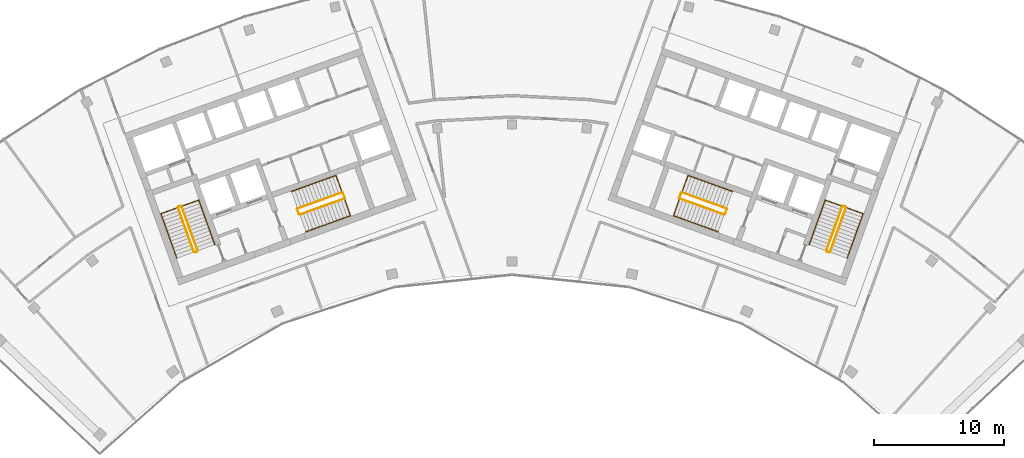
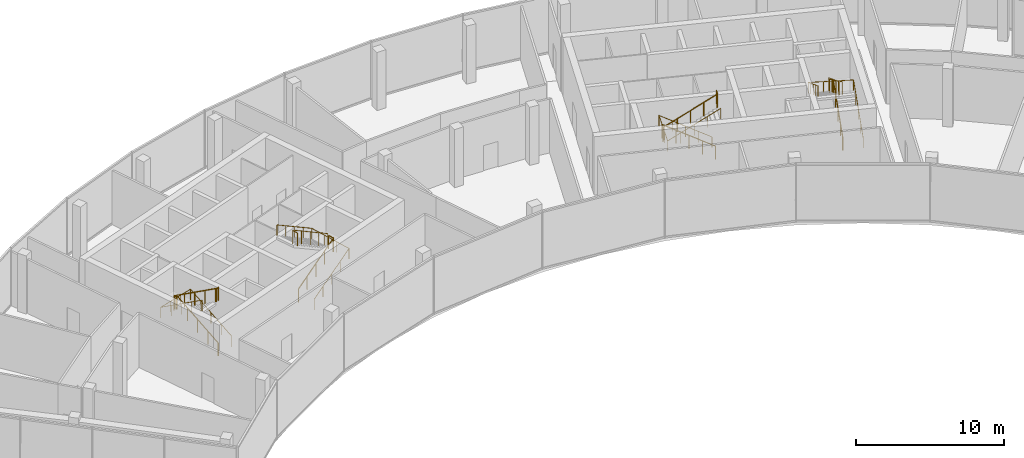
# One storey, part 17 of 17: 12 railings.
"""IFC4 building model written with IfcOpenShell, lengths in metres."""

from ifc_helpers import new_model, si_unit, direction, frame, origin, origin_2d, place, context, subcontext, project, spatial, circle, extrude, material, type_object, element, save


model = new_model("IFC4")

# Units and contexts
model_context = context("Model", 3, precision=1e-05, world=origin(), true_north=direction((0.0, 1.0)))
body_context = subcontext(model_context, "Body", "Model", "MODEL_VIEW")
ifc_project = project(units=[si_unit("LENGTHUNIT", "METRE"), si_unit("AREAUNIT", "SQUARE_METRE"), si_unit("VOLUMEUNIT", "CUBIC_METRE"), si_unit("PLANEANGLEUNIT", "RADIAN"), si_unit("MASSUNIT", "GRAM", prefix="KILO")], contexts=[model_context])

# Site, building, storey
site_placement = place(None, origin())
site = spatial("IfcSite", under=ifc_project, at=site_placement, CompositionType="ELEMENT")
building_placement = place(site_placement, origin())
building = spatial("IfcBuilding", under=site, at=building_placement, Name="Stone Belt Terrace Tower", CompositionType="ELEMENT")
storey_placement = place(building_placement, frame((0.0, 0.0, 313.39990234375)))
storey = spatial("IfcBuildingStorey", under=building, at=storey_placement, Name="L76", CompositionType="ELEMENT", Elevation=313.39990234375)

# Railings
ifc_material = material(Name="Structural steel C345", Category="steel")
railing_type_1 = type_object("IfcRailingType", Name="Stair guard 1100", PredefinedType="GUARDRAIL", material=ifc_material)
railing_1_placement = place(storey_placement, frame((-24.2119140625, 45.276123046875, 0.171630859375)))
element("IfcRailing", 1, at=railing_1_placement, inside=storey, type_object=railing_type_1, Name="L76 ST1A stair guard 1", PredefinedType="GUARDRAIL", context=body_context, shape_type="SweptSolid", body=[
    extrude(circle(Radius=0.02392578125, at=origin_2d()), frame((0.0, 0.0, 1.076171875), z_axis=(-0.288822101159, 0.802455225799, 0.522156494233), x_axis=(-0.940910495972, -0.338655338905, 0.0)), (0.0, 0.0, 1.0), 4.267822265625),
    extrude(circle(Radius=0.02392578125, at=origin_2d()), frame((-1.232666015625, 3.4248046875, 3.3046875), z_axis=(-0.903878284585, 0.427789722475, 0.0), x_axis=(-0.427789722475, -0.903878284585, 0.0)), (0.0, 0.0, 1.0), 0.07080078125),
    extrude(circle(Radius=0.02392578125, at=origin_2d()), frame((-1.296630859375, 3.455078125, 3.3046875), z_axis=(-0.940716197853, -0.339194686126, 0.0), x_axis=(0.339194686126, -0.940716197853, 0.0)), (0.0, 0.0, 1.0), 0.2001953125),
    extrude(circle(Radius=0.02099609375, at=origin_2d()), origin(), (0.0, 0.0, 1.0), 1.052001953125),
    extrude(circle(Radius=0.02099609375, at=origin_2d()), frame((-0.30810546875, 0.856201171875, 0.55712890625)), (0.0, 0.0, 1.0), 1.052001953125),
    extrude(circle(Radius=0.02099609375, at=origin_2d()), frame((-0.6162109375, 1.71240234375, 1.1142578125)), (0.0, 0.0, 1.0), 1.052001953125),
    extrude(circle(Radius=0.02099609375, at=origin_2d()), frame((-0.924560546875, 2.568603515625, 1.67138671875)), (0.0, 0.0, 1.0), 1.052001953125),
    extrude(circle(Radius=0.02099609375, at=origin_2d()), frame((-1.232666015625, 3.4248046875, 2.228515625)), (0.0, 0.0, 1.0), 1.052001953125),
    extrude(circle(Radius=0.02099609375, at=origin_2d()), frame((-1.296630859375, 3.455078125, 2.228515625)), (0.0, 0.0, 1.0), 1.052001953125),
    extrude(circle(Radius=0.02099609375, at=origin_2d()), frame((-1.48486328125, 3.38720703125, 2.228515625)), (0.0, 0.0, 1.0), 1.052001953125),
])
railing_2_placement = place(storey_placement, frame((-25.726806640625, 48.599365234375, 2.571533203125)))
element("IfcRailing", 2, at=railing_2_placement, inside=storey, type_object=railing_type_1, Name="L76 ST1A stair guard 2", PredefinedType="GUARDRAIL", context=body_context, shape_type="SweptSolid", body=[
    extrude(circle(Radius=0.02392578125, at=origin_2d()), frame((0.0, 0.0, 1.076171875), z_axis=(0.288822101159, -0.802455225799, 0.522156494233), x_axis=(0.940910495972, 0.338655338905, 0.0)), (0.0, 0.0, 1.0), 4.267822265625),
    extrude(circle(Radius=0.02392578125, at=origin_2d()), frame((1.232666015625, -3.4248046875, 3.3046875), z_axis=(0.903878284585, -0.427789722475, 0.0), x_axis=(0.427789722475, 0.903878284585, 0.0)), (0.0, 0.0, 1.0), 0.07080078125),
    extrude(circle(Radius=0.02392578125, at=origin_2d()), frame((1.296630859375, -3.455078125, 3.3046875), z_axis=(0.940575576748, 0.339584429008, 0.0), x_axis=(-0.339584429008, 0.940575576748, 0.0)), (0.0, 0.0, 1.0), 0.199951171875),
    extrude(circle(Radius=0.02099609375, at=origin_2d()), origin(), (0.0, 0.0, 1.0), 1.052001953125),
    extrude(circle(Radius=0.02099609375, at=origin_2d()), frame((0.30810546875, -0.856201171875, 0.55712890625)), (0.0, 0.0, 1.0), 1.052001953125),
    extrude(circle(Radius=0.02099609375, at=origin_2d()), frame((0.6162109375, -1.71240234375, 1.1142578125)), (0.0, 0.0, 1.0), 1.052001953125),
    extrude(circle(Radius=0.02099609375, at=origin_2d()), frame((0.924560546875, -2.568603515625, 1.67138671875)), (0.0, 0.0, 1.0), 1.052001953125),
    extrude(circle(Radius=0.02099609375, at=origin_2d()), frame((1.232666015625, -3.4248046875, 2.228515625)), (0.0, 0.0, 1.0), 1.052001953125),
    extrude(circle(Radius=0.02099609375, at=origin_2d()), frame((1.296630859375, -3.455078125, 2.228515625)), (0.0, 0.0, 1.0), 1.052001953125),
    extrude(circle(Radius=0.02099609375, at=origin_2d()), frame((1.484619140625, -3.38720703125, 2.228515625)), (0.0, 0.0, 1.0), 1.052001953125),
])
railing_3_placement = place(storey_placement, frame((-16.33837890625, 48.056640625, 0.171630859375)))
element("IfcRailing", 3, at=railing_3_placement, inside=storey, type_object=railing_type_1, Name="L76 ST2A stair guard 1", PredefinedType="GUARDRAIL", context=body_context, shape_type="SweptSolid", body=[
    extrude(circle(Radius=0.02392578125, at=origin_2d()), frame((0.0, 0.0, 1.076171875), z_axis=(0.802488848793, 0.288756412339, 0.522141151314), x_axis=(-0.338574587021, 0.94093955652, 0.0)), (0.0, 0.0, 1.0), 4.26806640625),
    extrude(circle(Radius=0.02392578125, at=origin_2d()), frame((3.425048828125, 1.232421875, 3.3046875), z_axis=(0.424964916, 0.905209821074, 0.0), x_axis=(-0.905209821074, 0.424964916, 0.0)), (0.0, 0.0, 1.0), 0.070556640625),
    extrude(circle(Radius=0.02392578125, at=origin_2d()), frame((3.455078125, 1.29638671875, 3.3046875), z_axis=(-0.338654645739, 0.940910745459, 0.0), x_axis=(-0.940910745459, -0.338654645739, 0.0)), (0.0, 0.0, 1.0), 0.400146484375),
    extrude(circle(Radius=0.02099609375, at=origin_2d()), origin(), (0.0, 0.0, 1.0), 1.052001953125),
    extrude(circle(Radius=0.02099609375, at=origin_2d()), frame((0.856201171875, 0.30810546875, 0.55712890625)), (0.0, 0.0, 1.0), 1.052001953125),
    extrude(circle(Radius=0.02099609375, at=origin_2d()), frame((1.71240234375, 0.6162109375, 1.1142578125)), (0.0, 0.0, 1.0), 1.052001953125),
    extrude(circle(Radius=0.02099609375, at=origin_2d()), frame((2.56884765625, 0.92431640625, 1.67138671875)), (0.0, 0.0, 1.0), 1.052001953125),
    extrude(circle(Radius=0.02099609375, at=origin_2d()), frame((3.425048828125, 1.232421875, 2.228515625)), (0.0, 0.0, 1.0), 1.052001953125),
    extrude(circle(Radius=0.02099609375, at=origin_2d()), frame((3.455078125, 1.29638671875, 2.228515625)), (0.0, 0.0, 1.0), 1.052001953125),
    extrude(circle(Radius=0.02099609375, at=origin_2d()), frame((3.319580078125, 1.6728515625, 2.228515625)), (0.0, 0.0, 1.0), 1.052001953125),
])
railing_4_placement = place(storey_placement, frame((-13.082763671875, 49.759521484375, 2.571533203125)))
element("IfcRailing", 4, at=railing_4_placement, inside=storey, type_object=railing_type_1, Name="L76 ST2A stair guard 2", PredefinedType="GUARDRAIL", context=body_context, shape_type="SweptSolid", body=[
    extrude(circle(Radius=0.02392578125, at=origin_2d()), frame((0.0, 0.0, 1.076171875), z_axis=(-0.802468482762, -0.288769667877, 0.52216512052), x_axis=(0.338595955653, -0.940931867255, 0.0)), (0.0, 0.0, 1.0), 4.267822265625),
    extrude(circle(Radius=0.02392578125, at=origin_2d()), frame((-3.4248046875, -1.232421875, 3.3046875), z_axis=(-0.427789722475, -0.903878284585, 0.0), x_axis=(0.903878284585, -0.427789722475, 0.0)), (0.0, 0.0, 1.0), 0.07080078125),
    extrude(circle(Radius=0.02392578125, at=origin_2d()), frame((-3.455078125, -1.29638671875, 3.3046875), z_axis=(0.338654645739, -0.940910745459, 0.0), x_axis=(0.940910745459, 0.338654645739, 0.0)), (0.0, 0.0, 1.0), 0.400146484375),
    extrude(circle(Radius=0.02099609375, at=origin_2d()), origin(), (0.0, 0.0, 1.0), 1.052001953125),
    extrude(circle(Radius=0.02099609375, at=origin_2d()), frame((-0.856201171875, -0.30810546875, 0.55712890625)), (0.0, 0.0, 1.0), 1.052001953125),
    extrude(circle(Radius=0.02099609375, at=origin_2d()), frame((-1.71240234375, -0.6162109375, 1.1142578125)), (0.0, 0.0, 1.0), 1.052001953125),
    extrude(circle(Radius=0.02099609375, at=origin_2d()), frame((-2.568603515625, -0.92431640625, 1.67138671875)), (0.0, 0.0, 1.0), 1.052001953125),
    extrude(circle(Radius=0.02099609375, at=origin_2d()), frame((-3.4248046875, -1.232421875, 2.228515625)), (0.0, 0.0, 1.0), 1.052001953125),
    extrude(circle(Radius=0.02099609375, at=origin_2d()), frame((-3.455078125, -1.29638671875, 2.228515625)), (0.0, 0.0, 1.0), 1.052001953125),
    extrude(circle(Radius=0.02099609375, at=origin_2d()), frame((-3.319580078125, -1.6728515625, 2.228515625)), (0.0, 0.0, 1.0), 1.052001953125),
])
railing_5_placement = place(storey_placement, frame((24.494140625, 45.174560546875, 0.171630859375)))
element("IfcRailing", 5, at=railing_5_placement, inside=storey, type_object=railing_type_1, Name="L76 ST1B stair guard 1", PredefinedType="GUARDRAIL", context=body_context, shape_type="SweptSolid", body=[
    extrude(circle(Radius=0.02392578125, at=origin_2d()), frame((0.0, 0.0, 1.076171875), z_axis=(0.288822101159, 0.802455225799, 0.522156494233), x_axis=(-0.940910495972, 0.338655338905, 0.0)), (0.0, 0.0, 1.0), 4.267822265625),
    extrude(circle(Radius=0.02392578125, at=origin_2d()), frame((1.232666015625, 3.4248046875, 3.3046875), z_axis=(-0.424964916, 0.905209821074, 0.0), x_axis=(-0.905209821074, -0.424964916, 0.0)), (0.0, 0.0, 1.0), 0.070556640625),
    extrude(circle(Radius=0.02392578125, at=origin_2d()), frame((1.20263671875, 3.48876953125, 3.3046875), z_axis=(-0.940716197853, 0.339194686126, 0.0), x_axis=(-0.339194686126, -0.940716197853, 0.0)), (0.0, 0.0, 1.0), 0.2001953125),
    extrude(circle(Radius=0.02099609375, at=origin_2d()), origin(), (0.0, 0.0, 1.0), 1.052001953125),
    extrude(circle(Radius=0.02099609375, at=origin_2d()), frame((0.30810546875, 0.856201171875, 0.55712890625)), (0.0, 0.0, 1.0), 1.052001953125),
    extrude(circle(Radius=0.02099609375, at=origin_2d()), frame((0.6162109375, 1.71240234375, 1.1142578125)), (0.0, 0.0, 1.0), 1.052001953125),
    extrude(circle(Radius=0.02099609375, at=origin_2d()), frame((0.924560546875, 2.568603515625, 1.67138671875)), (0.0, 0.0, 1.0), 1.052001953125),
    extrude(circle(Radius=0.02099609375, at=origin_2d()), frame((1.232666015625, 3.4248046875, 2.228515625)), (0.0, 0.0, 1.0), 1.052001953125),
    extrude(circle(Radius=0.02099609375, at=origin_2d()), frame((1.20263671875, 3.48876953125, 2.228515625)), (0.0, 0.0, 1.0), 1.052001953125),
    extrude(circle(Radius=0.02099609375, at=origin_2d()), frame((1.014404296875, 3.556640625, 2.228515625)), (0.0, 0.0, 1.0), 1.052001953125),
])
railing_6_placement = place(storey_placement, frame((25.444580078125, 48.700927734375, 2.571533203125)))
element("IfcRailing", 6, at=railing_6_placement, inside=storey, type_object=railing_type_1, Name="L76 ST1B stair guard 2", PredefinedType="GUARDRAIL", context=body_context, shape_type="SweptSolid", body=[
    extrude(circle(Radius=0.02392578125, at=origin_2d()), frame((0.0, 0.0, 1.076171875), z_axis=(-0.288822101159, -0.802455225799, 0.522156494233), x_axis=(0.940910495972, -0.338655338905, 0.0)), (0.0, 0.0, 1.0), 4.267822265625),
    extrude(circle(Radius=0.02392578125, at=origin_2d()), frame((-1.232666015625, -3.4248046875, 3.3046875), z_axis=(0.427789722475, -0.903878284585, 0.0), x_axis=(0.903878284585, 0.427789722475, 0.0)), (0.0, 0.0, 1.0), 0.07080078125),
    extrude(circle(Radius=0.02392578125, at=origin_2d()), frame((-1.202392578125, -3.48876953125, 3.3046875), z_axis=(0.940575576748, -0.339584429008, 0.0), x_axis=(0.339584429008, 0.940575576748, 0.0)), (0.0, 0.0, 1.0), 0.199951171875),
    extrude(circle(Radius=0.02099609375, at=origin_2d()), origin(), (0.0, 0.0, 1.0), 1.052001953125),
    extrude(circle(Radius=0.02099609375, at=origin_2d()), frame((-0.30810546875, -0.856201171875, 0.55712890625)), (0.0, 0.0, 1.0), 1.052001953125),
    extrude(circle(Radius=0.02099609375, at=origin_2d()), frame((-0.6162109375, -1.71240234375, 1.1142578125)), (0.0, 0.0, 1.0), 1.052001953125),
    extrude(circle(Radius=0.02099609375, at=origin_2d()), frame((-0.924560546875, -2.568603515625, 1.67138671875)), (0.0, 0.0, 1.0), 1.052001953125),
    extrude(circle(Radius=0.02099609375, at=origin_2d()), frame((-1.232666015625, -3.4248046875, 2.228515625)), (0.0, 0.0, 1.0), 1.052001953125),
    extrude(circle(Radius=0.02099609375, at=origin_2d()), frame((-1.202392578125, -3.48876953125, 2.228515625)), (0.0, 0.0, 1.0), 1.052001953125),
    extrude(circle(Radius=0.02099609375, at=origin_2d()), frame((-1.014404296875, -3.556640625, 2.228515625)), (0.0, 0.0, 1.0), 1.052001953125),
])
railing_7_placement = place(storey_placement, frame((16.507568359375, 48.527099609375, 0.171630859375)))
element("IfcRailing", 7, at=railing_7_placement, inside=storey, type_object=railing_type_1, Name="L76 ST2B stair guard 1", PredefinedType="GUARDRAIL", context=body_context, shape_type="SweptSolid", body=[
    extrude(circle(Radius=0.02392578125, at=origin_2d()), frame((0.0, 0.0, 1.076171875), z_axis=(-0.802468482762, 0.288769667877, 0.52216512052), x_axis=(-0.338595955653, -0.940931867255, 0.0)), (0.0, 0.0, 1.0), 4.267822265625),
    extrude(circle(Radius=0.02392578125, at=origin_2d()), frame((-3.4248046875, 1.232421875, 3.3046875), z_axis=(-0.905209821074, -0.424964916, 0.0), x_axis=(0.424964916, -0.905209821074, 0.0)), (0.0, 0.0, 1.0), 0.070556640625),
    extrude(circle(Radius=0.02392578125, at=origin_2d()), frame((-3.48876953125, 1.202392578125, 3.3046875), z_axis=(-0.338654645739, -0.940910745459, 0.0), x_axis=(0.940910745459, -0.338654645739, 0.0)), (0.0, 0.0, 1.0), 0.400146484375),
    extrude(circle(Radius=0.02099609375, at=origin_2d()), origin(), (0.0, 0.0, 1.0), 1.052001953125),
    extrude(circle(Radius=0.02099609375, at=origin_2d()), frame((-0.856201171875, 0.30810546875, 0.55712890625)), (0.0, 0.0, 1.0), 1.052001953125),
    extrude(circle(Radius=0.02099609375, at=origin_2d()), frame((-1.71240234375, 0.6162109375, 1.1142578125)), (0.0, 0.0, 1.0), 1.052001953125),
    extrude(circle(Radius=0.02099609375, at=origin_2d()), frame((-2.568603515625, 0.92431640625, 1.67138671875)), (0.0, 0.0, 1.0), 1.052001953125),
    extrude(circle(Radius=0.02099609375, at=origin_2d()), frame((-3.4248046875, 1.232421875, 2.228515625)), (0.0, 0.0, 1.0), 1.052001953125),
    extrude(circle(Radius=0.02099609375, at=origin_2d()), frame((-3.48876953125, 1.202392578125, 2.228515625)), (0.0, 0.0, 1.0), 1.052001953125),
    extrude(circle(Radius=0.02099609375, at=origin_2d()), frame((-3.624267578125, 0.825927734375, 2.228515625)), (0.0, 0.0, 1.0), 1.052001953125),
])
railing_8_placement = place(storey_placement, frame((12.913330078125, 49.2890625, 2.571533203125)))
element("IfcRailing", 8, at=railing_8_placement, inside=storey, type_object=railing_type_1, Name="L76 ST2B stair guard 2", PredefinedType="GUARDRAIL", context=body_context, shape_type="SweptSolid", body=[
    extrude(circle(Radius=0.02392578125, at=origin_2d()), frame((0.0, 0.0, 1.076171875), z_axis=(0.802488848793, -0.288756412339, 0.522141151314), x_axis=(0.338574587021, 0.94093955652, 0.0)), (0.0, 0.0, 1.0), 4.26806640625),
    extrude(circle(Radius=0.02392578125, at=origin_2d()), frame((3.425048828125, -1.232421875, 3.3046875), z_axis=(0.905209821074, 0.424964916, 0.0), x_axis=(-0.424964916, 0.905209821074, 0.0)), (0.0, 0.0, 1.0), 0.070556640625),
    extrude(circle(Radius=0.02392578125, at=origin_2d()), frame((3.489013671875, -1.202392578125, 3.3046875), z_axis=(0.338654645739, 0.940910745459, 0.0), x_axis=(-0.940910745459, 0.338654645739, 0.0)), (0.0, 0.0, 1.0), 0.400146484375),
    extrude(circle(Radius=0.02099609375, at=origin_2d()), origin(), (0.0, 0.0, 1.0), 1.052001953125),
    extrude(circle(Radius=0.02099609375, at=origin_2d()), frame((0.856201171875, -0.30810546875, 0.55712890625)), (0.0, 0.0, 1.0), 1.052001953125),
    extrude(circle(Radius=0.02099609375, at=origin_2d()), frame((1.71240234375, -0.6162109375, 1.1142578125)), (0.0, 0.0, 1.0), 1.052001953125),
    extrude(circle(Radius=0.02099609375, at=origin_2d()), frame((2.56884765625, -0.92431640625, 1.67138671875)), (0.0, 0.0, 1.0), 1.052001953125),
    extrude(circle(Radius=0.02099609375, at=origin_2d()), frame((3.425048828125, -1.232421875, 2.228515625)), (0.0, 0.0, 1.0), 1.052001953125),
    extrude(circle(Radius=0.02099609375, at=origin_2d()), frame((3.489013671875, -1.202392578125, 2.228515625)), (0.0, 0.0, 1.0), 1.052001953125),
    extrude(circle(Radius=0.02099609375, at=origin_2d()), frame((3.62451171875, -0.825927734375, 2.228515625)), (0.0, 0.0, 1.0), 1.052001953125),
])
railing_type_2 = type_object("IfcRailingType", Name="Stair handrail 900", PredefinedType="HANDRAIL", material=ifc_material)
railing_9_placement = place(storey_placement, frame((-22.894775390625, 45.750244140625, 0.171630859375)))
element("IfcRailing", 9, at=railing_9_placement, inside=storey, type_object=railing_type_2, Name="L76 ST1A stair handrail 1", PredefinedType="HANDRAIL", context=body_context, shape_type="SweptSolid", body=[
    extrude(circle(Radius=0.02392578125, at=origin_2d()), frame((0.0, 0.0, 0.8759765625), z_axis=(-0.288769667877, 0.802468482762, 0.52216512052), x_axis=(-0.940931867255, -0.338595955653, 0.0)), (0.0, 0.0, 1.0), 4.267822265625),
    extrude(circle(Radius=0.02392578125, at=origin_2d()), frame((-1.232421875, 3.4248046875, 3.1044921875), z_axis=(-0.939484977919, -0.338113944179, 0.055199067166), x_axis=(0.338630230244, -0.940919532779, 0.0)), (0.0, 0.0, 1.0), 3.10498046875),
    extrude(circle(Radius=0.02392578125, at=origin_2d()), frame((-4.1494140625, 2.375, 3.27587890625), z_axis=(0.288822101159, -0.802455225799, 0.522156494233), x_axis=(0.940910495972, 0.338655338905, 0.0)), (0.0, 0.0, 1.0), 4.267822265625),
    extrude(circle(Radius=0.02099609375, at=origin_2d()), origin(), (0.0, 0.0, 1.0), 0.851806640625),
    extrude(circle(Radius=0.02099609375, at=origin_2d()), frame((-0.30810546875, 0.856201171875, 0.55712890625)), (0.0, 0.0, 1.0), 0.851806640625),
    extrude(circle(Radius=0.02099609375, at=origin_2d()), frame((-0.6162109375, 1.71240234375, 1.1142578125)), (0.0, 0.0, 1.0), 0.851806640625),
    extrude(circle(Radius=0.02099609375, at=origin_2d()), frame((-0.92431640625, 2.568603515625, 1.67138671875)), (0.0, 0.0, 1.0), 0.851806640625),
    extrude(circle(Radius=0.02099609375, at=origin_2d()), frame((-1.232421875, 3.4248046875, 2.228515625)), (0.0, 0.0, 1.0), 0.851806640625),
    extrude(circle(Radius=0.02099609375, at=origin_2d()), frame((-2.204833984375, 3.074951171875, 2.28564453125)), (0.0, 0.0, 1.0), 0.851806640625),
    extrude(circle(Radius=0.02099609375, at=origin_2d()), frame((-3.177001953125, 2.724853515625, 2.3427734375)), (0.0, 0.0, 1.0), 0.851806640625),
    extrude(circle(Radius=0.02099609375, at=origin_2d()), frame((-4.1494140625, 2.375, 2.39990234375)), (0.0, 0.0, 1.0), 0.851806640625),
    extrude(circle(Radius=0.02099609375, at=origin_2d()), frame((-3.84130859375, 1.518798828125, 2.95703125)), (0.0, 0.0, 1.0), 0.851806640625),
    extrude(circle(Radius=0.02099609375, at=origin_2d()), frame((-3.533203125, 0.66259765625, 3.51416015625)), (0.0, 0.0, 1.0), 0.851806640625),
    extrude(circle(Radius=0.02099609375, at=origin_2d()), frame((-3.224853515625, -0.193603515625, 4.0712890625)), (0.0, 0.0, 1.0), 0.851806640625),
    extrude(circle(Radius=0.02099609375, at=origin_2d()), frame((-2.916748046875, -1.0498046875, 4.62841796875)), (0.0, 0.0, 1.0), 0.851806640625),
])
railing_10_placement = place(storey_placement, frame((-15.8642578125, 46.7392578125, 0.171630859375)))
element("IfcRailing", 10, at=railing_10_placement, inside=storey, type_object=railing_type_2, Name="L76 ST2A stair handrail 1", PredefinedType="HANDRAIL", context=body_context, shape_type="SweptSolid", body=[
    extrude(circle(Radius=0.02392578125, at=origin_2d()), frame((0.0, 0.0, 0.8759765625), z_axis=(0.802475592711, 0.288808843652, 0.522132526215), x_axis=(-0.338633967496, 0.94091818776, 0.0)), (0.0, 0.0, 1.0), 4.26806640625),
    extrude(circle(Radius=0.02392578125, at=origin_2d()), frame((3.425048828125, 1.232666015625, 3.1044921875), z_axis=(-0.338232188705, 0.939632366961, 0.051865224218), x_axis=(-0.940898728651, -0.338688031118, 0.0)), (0.0, 0.0, 1.0), 3.304443359375),
    extrude(circle(Radius=0.02392578125, at=origin_2d()), frame((2.307373046875, 4.337646484375, 3.27587890625), z_axis=(-0.802455225799, -0.288822101159, 0.522156494233), x_axis=(0.338655338905, -0.940910495972, 0.0)), (0.0, 0.0, 1.0), 4.267822265625),
    extrude(circle(Radius=0.02099609375, at=origin_2d()), origin(), (0.0, 0.0, 1.0), 0.851806640625),
    extrude(circle(Radius=0.02099609375, at=origin_2d()), frame((0.856201171875, 0.30810546875, 0.55712890625)), (0.0, 0.0, 1.0), 0.851806640625),
    extrude(circle(Radius=0.02099609375, at=origin_2d()), frame((1.71240234375, 0.6162109375, 1.1142578125)), (0.0, 0.0, 1.0), 0.851806640625),
    extrude(circle(Radius=0.02099609375, at=origin_2d()), frame((2.56884765625, 0.924560546875, 1.67138671875)), (0.0, 0.0, 1.0), 0.851806640625),
    extrude(circle(Radius=0.02099609375, at=origin_2d()), frame((3.425048828125, 1.232666015625, 2.228515625)), (0.0, 0.0, 1.0), 0.851806640625),
    extrude(circle(Radius=0.02099609375, at=origin_2d()), frame((3.052490234375, 2.267578125, 2.28564453125)), (0.0, 0.0, 1.0), 0.851806640625),
    extrude(circle(Radius=0.02099609375, at=origin_2d()), frame((2.679931640625, 3.302734375, 2.3427734375)), (0.0, 0.0, 1.0), 0.851806640625),
    extrude(circle(Radius=0.02099609375, at=origin_2d()), frame((2.307373046875, 4.337646484375, 2.39990234375)), (0.0, 0.0, 1.0), 0.851806640625),
    extrude(circle(Radius=0.02099609375, at=origin_2d()), frame((1.451171875, 4.029541015625, 2.95703125)), (0.0, 0.0, 1.0), 0.851806640625),
    extrude(circle(Radius=0.02099609375, at=origin_2d()), frame((0.594970703125, 3.72119140625, 3.51416015625)), (0.0, 0.0, 1.0), 0.851806640625),
    extrude(circle(Radius=0.02099609375, at=origin_2d()), frame((-0.26123046875, 3.4130859375, 4.0712890625)), (0.0, 0.0, 1.0), 0.851806640625),
    extrude(circle(Radius=0.02099609375, at=origin_2d()), frame((-1.117431640625, 3.10498046875, 4.62841796875)), (0.0, 0.0, 1.0), 0.851806640625),
])
railing_11_placement = place(storey_placement, frame((25.8115234375, 44.700439453125, 0.171630859375)))
element("IfcRailing", 11, at=railing_11_placement, inside=storey, type_object=railing_type_2, Name="L76 ST1B stair handrail 1", PredefinedType="HANDRAIL", context=body_context, shape_type="SweptSolid", body=[
    extrude(circle(Radius=0.02392578125, at=origin_2d()), frame((0.0, 0.0, 0.8759765625), z_axis=(0.288822101159, 0.802455225799, 0.522156494233), x_axis=(-0.940910495972, 0.338655338905, 0.0)), (0.0, 0.0, 1.0), 4.267822265625),
    extrude(circle(Radius=0.02392578125, at=origin_2d()), frame((1.232666015625, 3.4248046875, 3.1044921875), z_axis=(-0.939484977919, 0.338113944179, 0.055199067166), x_axis=(-0.338630230244, -0.940919532779, 0.0)), (0.0, 0.0, 1.0), 3.10498046875),
    extrude(circle(Radius=0.02392578125, at=origin_2d()), frame((-1.684326171875, 4.474609375, 3.27587890625), z_axis=(-0.288769667877, -0.802468482762, 0.52216512052), x_axis=(0.940931867255, -0.338595955653, 0.0)), (0.0, 0.0, 1.0), 4.267822265625),
    extrude(circle(Radius=0.02099609375, at=origin_2d()), origin(), (0.0, 0.0, 1.0), 0.851806640625),
    extrude(circle(Radius=0.02099609375, at=origin_2d()), frame((0.30810546875, 0.856201171875, 0.55712890625)), (0.0, 0.0, 1.0), 0.851806640625),
    extrude(circle(Radius=0.02099609375, at=origin_2d()), frame((0.6162109375, 1.71240234375, 1.1142578125)), (0.0, 0.0, 1.0), 0.851806640625),
    extrude(circle(Radius=0.02099609375, at=origin_2d()), frame((0.924560546875, 2.568603515625, 1.67138671875)), (0.0, 0.0, 1.0), 0.851806640625),
    extrude(circle(Radius=0.02099609375, at=origin_2d()), frame((1.232666015625, 3.4248046875, 2.228515625)), (0.0, 0.0, 1.0), 0.851806640625),
    extrude(circle(Radius=0.02099609375, at=origin_2d()), frame((0.26025390625, 3.774658203125, 2.28564453125)), (0.0, 0.0, 1.0), 0.851806640625),
    extrude(circle(Radius=0.02099609375, at=origin_2d()), frame((-0.7119140625, 4.124755859375, 2.3427734375)), (0.0, 0.0, 1.0), 0.851806640625),
    extrude(circle(Radius=0.02099609375, at=origin_2d()), frame((-1.684326171875, 4.474609375, 2.39990234375)), (0.0, 0.0, 1.0), 0.851806640625),
    extrude(circle(Radius=0.02099609375, at=origin_2d()), frame((-1.992431640625, 3.618408203125, 2.95703125)), (0.0, 0.0, 1.0), 0.851806640625),
    extrude(circle(Radius=0.02099609375, at=origin_2d()), frame((-2.300537109375, 2.76220703125, 3.51416015625)), (0.0, 0.0, 1.0), 0.851806640625),
    extrude(circle(Radius=0.02099609375, at=origin_2d()), frame((-2.608642578125, 1.906005859375, 4.0712890625)), (0.0, 0.0, 1.0), 0.851806640625),
    extrude(circle(Radius=0.02099609375, at=origin_2d()), frame((-2.916748046875, 1.0498046875, 4.62841796875)), (0.0, 0.0, 1.0), 0.851806640625),
])
railing_12_placement = place(storey_placement, frame((16.981689453125, 49.84423828125, 0.171630859375)))
element("IfcRailing", 12, at=railing_12_placement, inside=storey, type_object=railing_type_2, Name="L76 ST2B stair handrail 1", PredefinedType="HANDRAIL", context=body_context, shape_type="SweptSolid", body=[
    extrude(circle(Radius=0.02392578125, at=origin_2d()), frame((0.0, 0.0, 0.8759765625), z_axis=(-0.802455225799, 0.288822101159, 0.522156494233), x_axis=(-0.338655338905, -0.940910495972, 0.0)), (0.0, 0.0, 1.0), 4.267822265625),
    extrude(circle(Radius=0.02392578125, at=origin_2d()), frame((-3.4248046875, 1.232666015625, 3.1044921875), z_axis=(-0.338232188705, -0.939632366961, 0.051865224218), x_axis=(0.940898728651, -0.338688031118, 0.0)), (0.0, 0.0, 1.0), 3.304443359375),
    extrude(circle(Radius=0.02392578125, at=origin_2d()), frame((-4.54248046875, -1.872314453125, 3.27587890625), z_axis=(0.802475592711, -0.288808843652, 0.522132526215), x_axis=(0.338633967496, 0.94091818776, 0.0)), (0.0, 0.0, 1.0), 4.26806640625),
    extrude(circle(Radius=0.02099609375, at=origin_2d()), origin(), (0.0, 0.0, 1.0), 0.851806640625),
    extrude(circle(Radius=0.02099609375, at=origin_2d()), frame((-0.856201171875, 0.30810546875, 0.55712890625)), (0.0, 0.0, 1.0), 0.851806640625),
    extrude(circle(Radius=0.02099609375, at=origin_2d()), frame((-1.71240234375, 0.6162109375, 1.1142578125)), (0.0, 0.0, 1.0), 0.851806640625),
    extrude(circle(Radius=0.02099609375, at=origin_2d()), frame((-2.568603515625, 0.924560546875, 1.67138671875)), (0.0, 0.0, 1.0), 0.851806640625),
    extrude(circle(Radius=0.02099609375, at=origin_2d()), frame((-3.4248046875, 1.232666015625, 2.228515625)), (0.0, 0.0, 1.0), 0.851806640625),
    extrude(circle(Radius=0.02099609375, at=origin_2d()), frame((-3.79736328125, 0.19775390625, 2.28564453125)), (0.0, 0.0, 1.0), 0.851806640625),
    extrude(circle(Radius=0.02099609375, at=origin_2d()), frame((-4.169921875, -0.83740234375, 2.3427734375)), (0.0, 0.0, 1.0), 0.851806640625),
    extrude(circle(Radius=0.02099609375, at=origin_2d()), frame((-4.54248046875, -1.872314453125, 2.39990234375)), (0.0, 0.0, 1.0), 0.851806640625),
    extrude(circle(Radius=0.02099609375, at=origin_2d()), frame((-3.686279296875, -2.180419921875, 2.95703125)), (0.0, 0.0, 1.0), 0.851806640625),
    extrude(circle(Radius=0.02099609375, at=origin_2d()), frame((-2.830078125, -2.48876953125, 3.51416015625)), (0.0, 0.0, 1.0), 0.851806640625),
    extrude(circle(Radius=0.02099609375, at=origin_2d()), frame((-1.9736328125, -2.796875, 4.0712890625)), (0.0, 0.0, 1.0), 0.851806640625),
    extrude(circle(Radius=0.02099609375, at=origin_2d()), frame((-1.117431640625, -3.10498046875, 4.62841796875)), (0.0, 0.0, 1.0), 0.851806640625),
])

save(model, "model.ifc")
